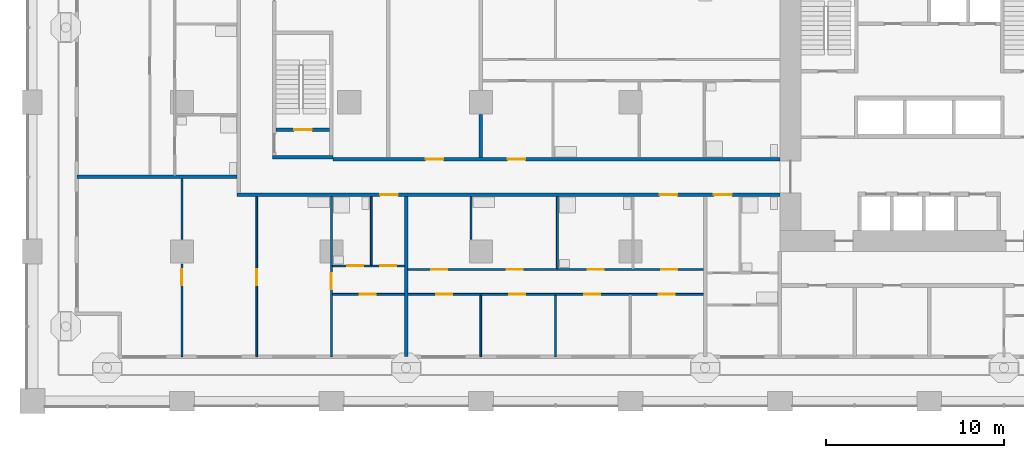
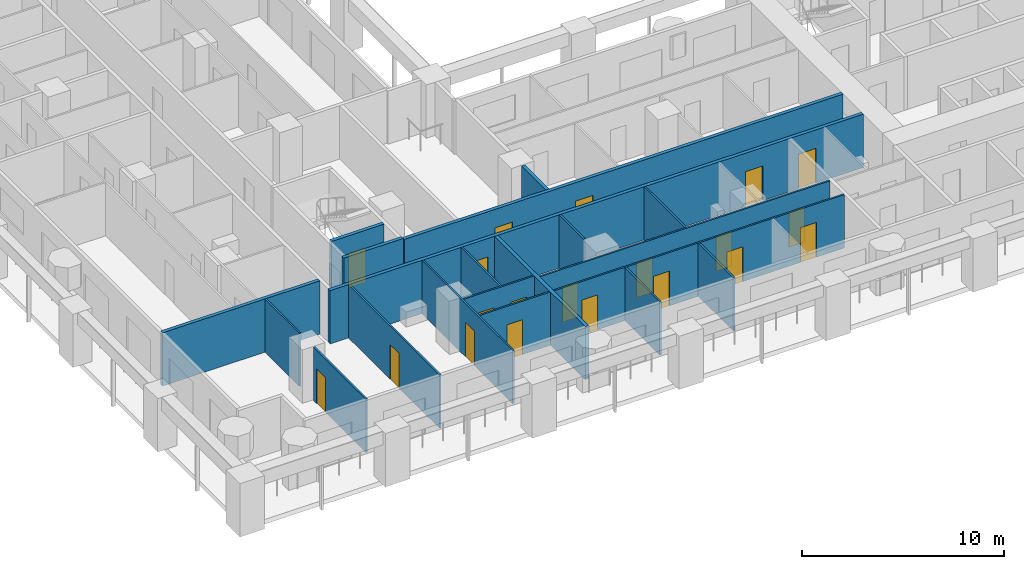
# One storey, part 2 of 19: 20 doors, 19 walls, 20 openings.
"""IFC4 building model written with IfcOpenShell, lengths in metres."""

from ifc_helpers import new_model, si_unit, direction, frame, frame_2d, origin, place, context, subcontext, project, spatial, rectangle, extrude, material, layer, layer_set, type_object, element, fill, save


model = new_model("IFC4")

# Units and contexts
model_context = context("Model", 3, precision=1e-05, world=origin(), true_north=direction((0.0, 1.0)))
body_context = subcontext(model_context, "Body", "Model", "MODEL_VIEW")
ifc_project = project(units=[si_unit("LENGTHUNIT", "METRE"), si_unit("AREAUNIT", "SQUARE_METRE"), si_unit("VOLUMEUNIT", "CUBIC_METRE"), si_unit("PLANEANGLEUNIT", "RADIAN"), si_unit("MASSUNIT", "GRAM", prefix="KILO")], contexts=[model_context])

# Site, building, storey
site_placement = place(None, origin())
site = spatial("IfcSite", under=ifc_project, at=site_placement, CompositionType="ELEMENT")
building_placement = place(site_placement, origin())
building = spatial("IfcBuilding", under=site, at=building_placement, Name="Vermilion Gate Residences", CompositionType="ELEMENT")
storey_placement = place(building_placement, frame((0.0, 0.0, 32.199951171875)))
storey = spatial("IfcBuildingStorey", under=building, at=storey_placement, Name="L06", CompositionType="ELEMENT", Elevation=32.199951171875)

# Wall, openings, doors
ifc_material_1 = material(Name="Plasterboard on steel studs", Category="steel")
ifc_layer_1 = layer(ifc_material_1, 0.10009765625)
ifc_layer_set_1 = layer_set([ifc_layer_1], Name="PARTITION 100")
wall_type_1 = type_object("IfcWallType", Name="PARTITION 100", PredefinedType="PARTITIONING", material=ifc_layer_set_1)
wall_1_placement = place(storey_placement, frame((16.85009765625, 6.0, 0.0), z_axis=(0.0, 0.0, 1.0), x_axis=(1.0, 0.0, 0.0)))
wall_1 = element("IfcWall", 1, at=wall_1_placement, inside=storey, type_object=wall_type_1, Name="Partition", PredefinedType="PARTITIONING", context=body_context, shape_type="SweptSolid", body=[
    extrude(rectangle(XDim=20.849853515625, YDim=0.10009765625, at=frame_2d((10.4248046875, 0.0))), origin(), (0.0, 0.0, 1.0), 3.219970703125),
])
opening_1_placement = place(wall_1_placement, frame((1.550048828125, 0.0, 0.0)))
opening_1 = element("IfcOpeningElement", 2, at=opening_1_placement, cuts=wall_1, Name="Opening DA04004", PredefinedType="OPENING", context=body_context, shape_type="SweptSolid", body=[
    extrude(rectangle(XDim=0.89990234375, YDim=2.10009765625, at=frame_2d((0.449951171875, 1.050048828125))), frame((0.0, 0.06005859375, 0.0), z_axis=(0.0, -1.0, 0.0), x_axis=(1.0, 0.0, 0.0)), (0.0, 0.0, 1.0), 0.1201171875),
])
opening_2_placement = place(wall_1_placement, frame((5.85009765625, 0.0, 0.0)))
opening_2 = element("IfcOpeningElement", 3, at=opening_2_placement, cuts=wall_1, Name="Opening DA04005", PredefinedType="OPENING", context=body_context, shape_type="SweptSolid", body=[
    extrude(rectangle(XDim=0.89990234375, YDim=2.10009765625, at=frame_2d((0.449951171875, 1.050048828125))), frame((0.0, 0.06005859375, 0.0), z_axis=(0.0, -1.0, 0.0), x_axis=(1.0, 0.0, 0.0)), (0.0, 0.0, 1.0), 0.1201171875),
])
opening_3_placement = place(wall_1_placement, frame((9.949951171875, 0.0, 0.0)))
opening_3 = element("IfcOpeningElement", 4, at=opening_3_placement, cuts=wall_1, Name="Opening DA04006", PredefinedType="OPENING", context=body_context, shape_type="SweptSolid", body=[
    extrude(rectangle(XDim=0.89990234375, YDim=2.10009765625, at=frame_2d((0.449951171875, 1.050048828125))), frame((0.0, 0.06005859375, 0.0), z_axis=(0.0, -1.0, 0.0), x_axis=(1.0, 0.0, 0.0)), (0.0, 0.0, 1.0), 0.1201171875),
])
opening_4_placement = place(wall_1_placement, frame((14.14990234375, 0.0, 0.0)))
opening_4 = element("IfcOpeningElement", 5, at=opening_4_placement, cuts=wall_1, Name="Opening DA04007", PredefinedType="OPENING", context=body_context, shape_type="SweptSolid", body=[
    extrude(rectangle(XDim=0.89990234375, YDim=2.10009765625, at=frame_2d((0.449951171875, 1.050048828125))), frame((0.0, 0.06005859375, 0.0), z_axis=(0.0, -1.0, 0.0), x_axis=(1.0, 0.0, 0.0)), (0.0, 0.0, 1.0), 0.1201171875),
])
opening_5_placement = place(wall_1_placement, frame((18.35009765625, 0.0, 0.0)))
opening_5 = element("IfcOpeningElement", 6, at=opening_5_placement, cuts=wall_1, Name="Opening DA04008", PredefinedType="OPENING", context=body_context, shape_type="SweptSolid", body=[
    extrude(rectangle(XDim=0.89990234375, YDim=2.10009765625, at=frame_2d((0.449951171875, 1.050048828125))), frame((0.0, 0.06005859375, 0.0), z_axis=(0.0, -1.0, 0.0), x_axis=(1.0, 0.0, 0.0)), (0.0, 0.0, 1.0), 0.1201171875),
])
ifc_material_2 = material(Name="Timber", Category="wood")
door_type_1 = type_object("IfcDoorType", Name="INTERIOR DOOR 900 X 2100", OperationType="SINGLE_SWING_LEFT", PredefinedType="DOOR", material=ifc_material_2)
door_1_placement = place(opening_1_placement, frame((0.89990234375, 0.0, 0.0), z_axis=(0.0, 0.0, 1.0), x_axis=(-1.0, 0.0, 0.0)))
door_1 = element("IfcDoor", 7, at=door_1_placement, inside=storey, type_object=door_type_1, Name="Interior door", OperationType="SINGLE_SWING_RIGHT", OverallHeight=2.10009765625, OverallWidth=0.89990234375, PredefinedType="DOOR", context=body_context, shape_type="SweptSolid", body=[
    extrude(rectangle(XDim=0.89990234375, YDim=2.10009765625, at=frame_2d((0.449951171875, 1.050048828125))), frame((0.0, 0.02490234375, 0.0), z_axis=(0.0, -1.0, 0.0), x_axis=(1.0, 0.0, 0.0)), (0.0, 0.0, 1.0), 0.050048828125),
])
fill(opening_1, door_1)
door_2_placement = place(opening_2_placement, frame((0.89990234375, 0.0, 0.0), z_axis=(0.0, 0.0, 1.0), x_axis=(-1.0, 0.0, 0.0)))
door_2 = element("IfcDoor", 8, at=door_2_placement, inside=storey, type_object=door_type_1, Name="Interior door", OperationType="SINGLE_SWING_LEFT", OverallHeight=2.10009765625, OverallWidth=0.89990234375, PredefinedType="DOOR", context=body_context, shape_type="SweptSolid", body=[
    extrude(rectangle(XDim=0.89990234375, YDim=2.10009765625, at=frame_2d((0.449951171875, 1.050048828125))), frame((0.0, 0.02490234375, 0.0), z_axis=(0.0, -1.0, 0.0), x_axis=(1.0, 0.0, 0.0)), (0.0, 0.0, 1.0), 0.050048828125),
])
fill(opening_2, door_2)
door_3_placement = place(opening_3_placement, frame((0.89990234375, 0.0, 0.0), z_axis=(0.0, 0.0, 1.0), x_axis=(-1.0, 0.0, 0.0)))
door_3 = element("IfcDoor", 9, at=door_3_placement, inside=storey, type_object=door_type_1, Name="Interior door", OperationType="SINGLE_SWING_RIGHT", OverallHeight=2.10009765625, OverallWidth=0.89990234375, PredefinedType="DOOR", context=body_context, shape_type="SweptSolid", body=[
    extrude(rectangle(XDim=0.89990234375, YDim=2.10009765625, at=frame_2d((0.449951171875, 1.050048828125))), frame((0.0, 0.02490234375, 0.0), z_axis=(0.0, -1.0, 0.0), x_axis=(1.0, 0.0, 0.0)), (0.0, 0.0, 1.0), 0.050048828125),
])
fill(opening_3, door_3)
door_4_placement = place(opening_4_placement, frame((0.89990234375, 0.0, 0.0), z_axis=(0.0, 0.0, 1.0), x_axis=(-1.0, 0.0, 0.0)))
door_4 = element("IfcDoor", 10, at=door_4_placement, inside=storey, type_object=door_type_1, Name="Interior door", OperationType="SINGLE_SWING_RIGHT", OverallHeight=2.10009765625, OverallWidth=0.89990234375, PredefinedType="DOOR", context=body_context, shape_type="SweptSolid", body=[
    extrude(rectangle(XDim=0.89990234375, YDim=2.10009765625, at=frame_2d((0.449951171875, 1.050048828125))), frame((0.0, 0.02490234375, 0.0), z_axis=(0.0, -1.0, 0.0), x_axis=(1.0, 0.0, 0.0)), (0.0, 0.0, 1.0), 0.050048828125),
])
fill(opening_4, door_4)
door_5_placement = place(opening_5_placement, frame((0.89990234375, 0.0, 0.0), z_axis=(0.0, 0.0, 1.0), x_axis=(-1.0, 0.0, 0.0)))
door_5 = element("IfcDoor", 11, at=door_5_placement, inside=storey, type_object=door_type_1, Name="Interior door", OperationType="SINGLE_SWING_RIGHT", OverallHeight=2.10009765625, OverallWidth=0.89990234375, PredefinedType="DOOR", context=body_context, shape_type="SweptSolid", body=[
    extrude(rectangle(XDim=0.89990234375, YDim=2.10009765625, at=frame_2d((0.449951171875, 1.050048828125))), frame((0.0, 0.02490234375, 0.0), z_axis=(0.0, -1.0, 0.0), x_axis=(1.0, 0.0, 0.0)), (0.0, 0.0, 1.0), 0.050048828125),
])
fill(opening_5, door_5)

wall_2_placement = place(storey_placement, frame((21.10009765625, 7.39990234375, 0.0), z_axis=(0.0, 0.0, 1.0), x_axis=(1.0, 0.0, 0.0)))
wall_2 = element("IfcWall", 12, at=wall_2_placement, inside=storey, type_object=wall_type_1, Name="Partition", PredefinedType="PARTITIONING", context=body_context, shape_type="SweptSolid", body=[
    extrude(rectangle(XDim=16.599853515625, YDim=0.10009765625, at=frame_2d((8.2998046875, 0.0))), origin(), (0.0, 0.0, 1.0), 3.219970703125),
])
opening_6_placement = place(wall_2_placement, frame((14.25, 0.0, 0.0)))
opening_6 = element("IfcOpeningElement", 13, at=opening_6_placement, cuts=wall_2, Name="Opening DA04015", PredefinedType="OPENING", context=body_context, shape_type="SweptSolid", body=[
    extrude(rectangle(XDim=0.89990234375, YDim=2.10009765625, at=frame_2d((0.449951171875, 1.050048828125))), frame((0.0, 0.06005859375, 0.0), z_axis=(0.0, -1.0, 0.0), x_axis=(1.0, 0.0, 0.0)), (0.0, 0.0, 1.0), 0.1201171875),
])
opening_7_placement = place(wall_2_placement, frame((1.300048828125, 0.0, 0.0)))
opening_7 = element("IfcOpeningElement", 14, at=opening_7_placement, cuts=wall_2, Name="Opening DA04016", PredefinedType="OPENING", context=body_context, shape_type="SweptSolid", body=[
    extrude(rectangle(XDim=0.89990234375, YDim=2.10009765625, at=frame_2d((0.449951171875, 1.050048828125))), frame((0.0, 0.06005859375, 0.0), z_axis=(0.0, -1.0, 0.0), x_axis=(1.0, 0.0, 0.0)), (0.0, 0.0, 1.0), 0.1201171875),
])
opening_8_placement = place(wall_2_placement, frame((5.550048828125, 0.0, 0.0)))
opening_8 = element("IfcOpeningElement", 15, at=opening_8_placement, cuts=wall_2, Name="Opening DA04017", PredefinedType="OPENING", context=body_context, shape_type="SweptSolid", body=[
    extrude(rectangle(XDim=0.89990234375, YDim=2.10009765625, at=frame_2d((0.449951171875, 1.050048828125))), frame((0.0, 0.06005859375, 0.0), z_axis=(0.0, -1.0, 0.0), x_axis=(1.0, 0.0, 0.0)), (0.0, 0.0, 1.0), 0.1201171875),
])
opening_9_placement = place(wall_2_placement, frame((10.10009765625, 0.0, 0.0)))
opening_9 = element("IfcOpeningElement", 16, at=opening_9_placement, cuts=wall_2, Name="Opening DA04018", PredefinedType="OPENING", context=body_context, shape_type="SweptSolid", body=[
    extrude(rectangle(XDim=0.89990234375, YDim=2.10009765625, at=frame_2d((0.449951171875, 1.050048828125))), frame((0.0, 0.06005859375, 0.0), z_axis=(0.0, -1.0, 0.0), x_axis=(1.0, 0.0, 0.0)), (0.0, 0.0, 1.0), 0.1201171875),
])
door_6_placement = place(opening_6_placement, origin())
door_6 = element("IfcDoor", 17, at=door_6_placement, inside=storey, type_object=door_type_1, Name="Interior door", OperationType="SINGLE_SWING_RIGHT", OverallHeight=2.10009765625, OverallWidth=0.89990234375, PredefinedType="DOOR", context=body_context, shape_type="SweptSolid", body=[
    extrude(rectangle(XDim=0.89990234375, YDim=2.10009765625, at=frame_2d((0.449951171875, 1.050048828125))), frame((0.0, 0.02490234375, 0.0), z_axis=(0.0, -1.0, 0.0), x_axis=(1.0, 0.0, 0.0)), (0.0, 0.0, 1.0), 0.050048828125),
])
fill(opening_6, door_6)
door_7_placement = place(opening_7_placement, origin())
door_7 = element("IfcDoor", 18, at=door_7_placement, inside=storey, type_object=door_type_1, Name="Interior door", OperationType="SINGLE_SWING_LEFT", OverallHeight=2.10009765625, OverallWidth=0.89990234375, PredefinedType="DOOR", context=body_context, shape_type="SweptSolid", body=[
    extrude(rectangle(XDim=0.89990234375, YDim=2.10009765625, at=frame_2d((0.449951171875, 1.050048828125))), frame((0.0, 0.02490234375, 0.0), z_axis=(0.0, -1.0, 0.0), x_axis=(1.0, 0.0, 0.0)), (0.0, 0.0, 1.0), 0.050048828125),
])
fill(opening_7, door_7)
door_8_placement = place(opening_8_placement, origin())
door_8 = element("IfcDoor", 19, at=door_8_placement, inside=storey, type_object=door_type_1, Name="Interior door", OperationType="SINGLE_SWING_RIGHT", OverallHeight=2.10009765625, OverallWidth=0.89990234375, PredefinedType="DOOR", context=body_context, shape_type="SweptSolid", body=[
    extrude(rectangle(XDim=0.89990234375, YDim=2.10009765625, at=frame_2d((0.449951171875, 1.050048828125))), frame((0.0, 0.02490234375, 0.0), z_axis=(0.0, -1.0, 0.0), x_axis=(1.0, 0.0, 0.0)), (0.0, 0.0, 1.0), 0.050048828125),
])
fill(opening_8, door_8)
door_9_placement = place(opening_9_placement, origin())
door_9 = element("IfcDoor", 20, at=door_9_placement, inside=storey, type_object=door_type_1, Name="Interior door", OperationType="SINGLE_SWING_LEFT", OverallHeight=2.10009765625, OverallWidth=0.89990234375, PredefinedType="DOOR", context=body_context, shape_type="SweptSolid", body=[
    extrude(rectangle(XDim=0.89990234375, YDim=2.10009765625, at=frame_2d((0.449951171875, 1.050048828125))), frame((0.0, 0.02490234375, 0.0), z_axis=(0.0, -1.0, 0.0), x_axis=(1.0, 0.0, 0.0)), (0.0, 0.0, 1.0), 0.050048828125),
])
fill(opening_9, door_9)

wall_3_placement = place(storey_placement, frame((16.85009765625, 7.60009765625, 0.0), z_axis=(0.0, 0.0, 1.0), x_axis=(1.0, 0.0, 0.0)))
wall_3 = element("IfcWall", 21, at=wall_3_placement, inside=storey, type_object=wall_type_1, Name="Partition", PredefinedType="PARTITIONING", context=body_context, shape_type="SweptSolid", body=[
    extrude(rectangle(XDim=4.0498046875, YDim=0.10009765625, at=frame_2d((2.02490234375, 0.0))), origin(), (0.0, 0.0, 1.0), 3.219970703125),
])
opening_10_placement = place(wall_3_placement, frame((2.68994140625, 0.0, 0.0)))
opening_10 = element("IfcOpeningElement", 22, at=opening_10_placement, cuts=wall_3, Name="Opening DA04019", PredefinedType="OPENING", context=body_context, shape_type="SweptSolid", body=[
    extrude(rectangle(XDim=0.89990234375, YDim=2.10009765625, at=frame_2d((0.449951171875, 1.050048828125))), frame((0.0, 0.06005859375, 0.0), z_axis=(0.0, -1.0, 0.0), x_axis=(1.0, 0.0, 0.0)), (0.0, 0.0, 1.0), 0.1201171875),
])
opening_11_placement = place(wall_3_placement, frame((0.85009765625, 0.0, 0.0)))
opening_11 = element("IfcOpeningElement", 23, at=opening_11_placement, cuts=wall_3, Name="Opening DA04020", PredefinedType="OPENING", context=body_context, shape_type="SweptSolid", body=[
    extrude(rectangle(XDim=0.89990234375, YDim=2.10009765625, at=frame_2d((0.449951171875, 1.050048828125))), frame((0.0, 0.06005859375, 0.0), z_axis=(0.0, -1.0, 0.0), x_axis=(1.0, 0.0, 0.0)), (0.0, 0.0, 1.0), 0.1201171875),
])
door_10_placement = place(opening_10_placement, frame((0.89990234375, 0.0, 0.0), z_axis=(0.0, 0.0, 1.0), x_axis=(-1.0, 0.0, 0.0)))
door_10 = element("IfcDoor", 24, at=door_10_placement, inside=storey, type_object=door_type_1, Name="Interior door", OperationType="SINGLE_SWING_LEFT", OverallHeight=2.10009765625, OverallWidth=0.89990234375, PredefinedType="DOOR", context=body_context, shape_type="SweptSolid", body=[
    extrude(rectangle(XDim=0.89990234375, YDim=2.10009765625, at=frame_2d((0.449951171875, 1.050048828125))), frame((0.0, 0.02490234375, 0.0), z_axis=(0.0, -1.0, 0.0), x_axis=(1.0, 0.0, 0.0)), (0.0, 0.0, 1.0), 0.050048828125),
])
fill(opening_10, door_10)
door_11_placement = place(opening_11_placement, origin())
door_11 = element("IfcDoor", 25, at=door_11_placement, inside=storey, type_object=door_type_1, Name="Interior door", OperationType="SINGLE_SWING_LEFT", OverallHeight=2.10009765625, OverallWidth=0.89990234375, PredefinedType="DOOR", context=body_context, shape_type="SweptSolid", body=[
    extrude(rectangle(XDim=0.89990234375, YDim=2.10009765625, at=frame_2d((0.449951171875, 1.050048828125))), frame((0.0, 0.02490234375, 0.0), z_axis=(0.0, -1.0, 0.0), x_axis=(1.0, 0.0, 0.0)), (0.0, 0.0, 1.0), 0.050048828125),
])
fill(opening_11, door_11)

# Wall, opening, door
wall_4_placement = place(storey_placement, frame((8.39990234375, 2.5, 0.0), z_axis=(0.0, 0.0, 1.0), x_axis=(0.0, 1.0, 0.0)))
wall_4 = element("IfcWall", 26, at=wall_4_placement, inside=storey, type_object=wall_type_1, Name="Partition", PredefinedType="PARTITIONING", context=body_context, shape_type="SweptSolid", body=[
    extrude(rectangle(XDim=5.199951171875, YDim=0.10009765625, at=frame_2d((2.60009765625, 0.0))), origin(), (0.0, 0.0, 1.0), 3.219970703125),
])
opening_12_placement = place(wall_4_placement, frame((4.0, 0.0, 0.0)))
opening_12 = element("IfcOpeningElement", 27, at=opening_12_placement, cuts=wall_4, Name="Opening DA04050", PredefinedType="OPENING", context=body_context, shape_type="SweptSolid", body=[
    extrude(rectangle(XDim=0.89990234375, YDim=2.10009765625, at=frame_2d((0.449951171875, 1.050048828125))), frame((0.0, 0.06005859375, 0.0), z_axis=(0.0, -1.0, 0.0), x_axis=(1.0, 0.0, 0.0)), (0.0, 0.0, 1.0), 0.1201171875),
])
door_12_placement = place(opening_12_placement, frame((0.89990234375, 0.0, 0.0), z_axis=(0.0, 0.0, 1.0), x_axis=(-1.0, 0.0, 0.0)))
door_12 = element("IfcDoor", 28, at=door_12_placement, inside=storey, type_object=door_type_1, Name="Interior door", OperationType="SINGLE_SWING_LEFT", OverallHeight=2.10009765625, OverallWidth=0.89990234375, PredefinedType="DOOR", context=body_context, shape_type="SweptSolid", body=[
    extrude(rectangle(XDim=0.89990234375, YDim=2.10009765625, at=frame_2d((0.449951171875, 1.050048828125))), frame((0.0, 0.02490234375, 0.0), z_axis=(0.0, -1.0, 0.0), x_axis=(1.0, 0.0, 0.0)), (0.0, 0.0, 1.0), 0.050048828125),
])
fill(opening_12, door_12)

# Wall
wall_5_placement = place(storey_placement, frame((8.39990234375, 9.10009765625, 0.0), z_axis=(0.0, 0.0, 1.0), x_axis=(0.0, 1.0, 0.0)))
element("IfcWall", 29, at=wall_5_placement, inside=storey, type_object=wall_type_1, Name="Partition", PredefinedType="PARTITIONING", context=body_context, shape_type="SweptSolid", body=[
    extrude(rectangle(XDim=3.39990234375, YDim=0.10009765625, at=frame_2d((1.699951171875, 0.0))), origin(), (0.0, 0.0, 1.0), 3.219970703125),
])

# Wall, opening, door
wall_6_placement = place(storey_placement, frame((12.60009765625, 2.5, 0.0), z_axis=(0.0, 0.0, 1.0), x_axis=(0.0, 1.0, 0.0)))
wall_6 = element("IfcWall", 30, at=wall_6_placement, inside=storey, type_object=wall_type_1, Name="Partition", PredefinedType="PARTITIONING", context=body_context, shape_type="SweptSolid", body=[
    extrude(rectangle(XDim=9.0, YDim=0.10009765625, at=frame_2d((4.5, 0.0))), origin(), (0.0, 0.0, 1.0), 3.219970703125),
])
opening_13_placement = place(wall_6_placement, frame((4.0, 0.0, 0.0)))
opening_13 = element("IfcOpeningElement", 31, at=opening_13_placement, cuts=wall_6, Name="Opening DA04055", PredefinedType="OPENING", context=body_context, shape_type="SweptSolid", body=[
    extrude(rectangle(XDim=0.89990234375, YDim=2.10009765625, at=frame_2d((0.449951171875, 1.050048828125))), frame((0.0, 0.06005859375, 0.0), z_axis=(0.0, -1.0, 0.0), x_axis=(1.0, 0.0, 0.0)), (0.0, 0.0, 1.0), 0.1201171875),
])
door_13_placement = place(opening_13_placement, origin())
door_13 = element("IfcDoor", 32, at=door_13_placement, inside=storey, type_object=door_type_1, Name="Interior door", OperationType="SINGLE_SWING_LEFT", OverallHeight=2.10009765625, OverallWidth=0.89990234375, PredefinedType="DOOR", context=body_context, shape_type="SweptSolid", body=[
    extrude(rectangle(XDim=0.89990234375, YDim=2.10009765625, at=frame_2d((0.449951171875, 1.050048828125))), frame((0.0, 0.02490234375, 0.0), z_axis=(0.0, -1.0, 0.0), x_axis=(1.0, 0.0, 0.0)), (0.0, 0.0, 1.0), 0.050048828125),
])
fill(opening_13, door_13)

wall_7_placement = place(storey_placement, frame((16.800048828125, 2.5, 0.0), z_axis=(0.0, 0.0, 1.0), x_axis=(0.0, 1.0, 0.0)))
wall_7 = element("IfcWall", 33, at=wall_7_placement, inside=storey, type_object=wall_type_1, Name="Partition", PredefinedType="PARTITIONING", context=body_context, shape_type="SweptSolid", body=[
    extrude(rectangle(XDim=9.0, YDim=0.10009765625, at=frame_2d((4.5, 0.0))), origin(), (0.0, 0.0, 1.0), 3.219970703125),
])
opening_14_placement = place(wall_7_placement, frame((3.800048828125, 0.0, 0.0)))
opening_14 = element("IfcOpeningElement", 34, at=opening_14_placement, cuts=wall_7, Name="Opening DA04058", PredefinedType="OPENING", context=body_context, shape_type="SweptSolid", body=[
    extrude(rectangle(XDim=0.89990234375, YDim=2.10009765625, at=frame_2d((0.449951171875, 1.050048828125))), frame((0.0, 0.06005859375, 0.0), z_axis=(0.0, -1.0, 0.0), x_axis=(1.0, 0.0, 0.0)), (0.0, 0.0, 1.0), 0.1201171875),
])
door_14_placement = place(opening_14_placement, origin())
door_14 = element("IfcDoor", 35, at=door_14_placement, inside=storey, type_object=door_type_1, Name="Interior door", OperationType="SINGLE_SWING_RIGHT", OverallHeight=2.10009765625, OverallWidth=0.89990234375, PredefinedType="DOOR", context=body_context, shape_type="SweptSolid", body=[
    extrude(rectangle(XDim=0.89990234375, YDim=2.10009765625, at=frame_2d((0.449951171875, 1.050048828125))), frame((0.0, 0.02490234375, 0.0), z_axis=(0.0, -1.0, 0.0), x_axis=(1.0, 0.0, 0.0)), (0.0, 0.0, 1.0), 0.050048828125),
])
fill(opening_14, door_14)

# Walls
wall_8_placement = place(storey_placement, frame((19.0400390625, 7.64990234375, 0.0), z_axis=(0.0, 0.0, 1.0), x_axis=(0.0, 1.0, 0.0)))
element("IfcWall", 36, at=wall_8_placement, inside=storey, type_object=wall_type_1, Name="Partition", PredefinedType="PARTITIONING", context=body_context, shape_type="SweptSolid", body=[
    extrude(rectangle(XDim=3.85009765625, YDim=0.10009765625, at=frame_2d((1.925048828125, 0.0))), origin(), (0.0, 0.0, 1.0), 3.219970703125),
])
wall_9_placement = place(storey_placement, frame((24.64990234375, 9.10009765625, 0.0), z_axis=(0.0, 0.0, 1.0), x_axis=(0.0, 1.0, 0.0)))
element("IfcWall", 37, at=wall_9_placement, inside=storey, type_object=wall_type_1, Name="Partition", PredefinedType="PARTITIONING", context=body_context, shape_type="SweptSolid", body=[
    extrude(rectangle(XDim=2.39990234375, YDim=0.10009765625, at=frame_2d((1.199951171875, 0.0))), origin(), (0.0, 0.0, 1.0), 3.219970703125),
])
for number, where, z_axis, x_axis, name in (
    (38, (25.199951171875, 2.5, 0.0), (0.0, 0.0, 1.0), (0.0, 1.0, 0.0), "Partition"),
    (39, (29.39990234375, 2.5, 0.0), (0.0, 0.0, 1.0), (0.0, 1.0, 0.0), "Partition"),
):
    element("IfcWall", number, at=place(storey_placement, frame(where, z_axis=z_axis, x_axis=x_axis)), inside=storey, type_object=wall_type_1, Name=name, PredefinedType="PARTITIONING", context=body_context, shape_type="SweptSolid", body=[
        extrude(rectangle(XDim=3.449951171875, YDim=0.10009765625, at=frame_2d((1.72509765625, 0.0))), origin(), (0.0, 0.0, 1.0), 3.219970703125),
    ])
wall_10_placement = place(storey_placement, frame((29.5, 7.449951171875, 0.0), z_axis=(0.0, 0.0, 1.0), x_axis=(0.0, 1.0, 0.0)))
element("IfcWall", 40, at=wall_10_placement, inside=storey, type_object=wall_type_1, Name="Partition", PredefinedType="PARTITIONING", context=body_context, shape_type="SweptSolid", body=[
    extrude(rectangle(XDim=4.050048828125, YDim=0.10009765625, at=frame_2d((2.02490234375, 0.0))), origin(), (0.0, 0.0, 1.0), 3.219970703125),
])

# Wall, openings, doors
ifc_material_3 = material(Name="Fire-rated plasterboard on steel studs", Category="steel")
ifc_layer_2 = layer(ifc_material_3, 0.199951171875)
ifc_layer_set_2 = layer_set([ifc_layer_2], Name="PARTY WALL 200 EI 120")
wall_type_2 = type_object("IfcWallType", Name="PARTY WALL 200 EI 120", PredefinedType="PARTITIONING", material=ifc_layer_set_2)
wall_11_placement = place(storey_placement, frame((11.5, 11.60009765625, 0.0), z_axis=(0.0, 0.0, 1.0), x_axis=(1.0, 0.0, 0.0)))
wall_11 = element("IfcWall", 41, at=wall_11_placement, inside=storey, type_object=wall_type_2, Name="Party and corridor wall", PredefinedType="PARTITIONING", context=body_context, shape_type="SweptSolid", body=[
    extrude(rectangle(XDim=30.5, YDim=0.199951171875, at=frame_2d((15.25, 0.0))), origin(), (0.0, 0.0, 1.0), 3.219970703125),
])
opening_15_placement = place(wall_11_placement, frame((8.0400390625, 0.0, 0.0)))
opening_15 = element("IfcOpeningElement", 42, at=opening_15_placement, cuts=wall_11, Name="Opening DA04021", PredefinedType="OPENING", context=body_context, shape_type="SweptSolid", body=[
    extrude(rectangle(XDim=1.0, YDim=2.10009765625, at=frame_2d((0.5, 1.050048828125))), frame((0.0, 0.10986328125, 0.0), z_axis=(0.0, -1.0, 0.0), x_axis=(1.0, 0.0, 0.0)), (0.0, 0.0, 1.0), 0.219970703125),
])
opening_16_placement = place(wall_11_placement, frame((23.75, 0.0, 0.0)))
opening_16 = element("IfcOpeningElement", 43, at=opening_16_placement, cuts=wall_11, Name="Opening DA04022", PredefinedType="OPENING", context=body_context, shape_type="SweptSolid", body=[
    extrude(rectangle(XDim=1.0, YDim=2.10009765625, at=frame_2d((0.5, 1.050048828125))), frame((0.0, 0.10986328125, 0.0), z_axis=(0.0, -1.0, 0.0), x_axis=(1.0, 0.0, 0.0)), (0.0, 0.0, 1.0), 0.219970703125),
])
opening_17_placement = place(wall_11_placement, frame((26.800048828125, 0.0, 0.0)))
opening_17 = element("IfcOpeningElement", 44, at=opening_17_placement, cuts=wall_11, Name="Opening DA04023", PredefinedType="OPENING", context=body_context, shape_type="SweptSolid", body=[
    extrude(rectangle(XDim=1.0, YDim=2.10009765625, at=frame_2d((0.5, 1.050048828125))), frame((0.0, 0.10986328125, 0.0), z_axis=(0.0, -1.0, 0.0), x_axis=(1.0, 0.0, 0.0)), (0.0, 0.0, 1.0), 0.219970703125),
])
ifc_material_4 = material(Name="Steel", Category="steel")
door_type_2 = type_object("IfcDoorType", Name="ENTRANCE DOOR 1000 X 2100 FD30", OperationType="SINGLE_SWING_LEFT", PredefinedType="DOOR", material=ifc_material_4)
door_15_placement = place(opening_15_placement, frame((1.0, 0.0, 0.0), z_axis=(0.0, 0.0, 1.0), x_axis=(-1.0, 0.0, 0.0)))
door_15 = element("IfcDoor", 45, at=door_15_placement, inside=storey, type_object=door_type_2, Name="Entrance door", OperationType="SINGLE_SWING_LEFT", OverallHeight=2.10009765625, OverallWidth=1.0, PredefinedType="DOOR", context=body_context, shape_type="SweptSolid", body=[
    extrude(rectangle(XDim=1.0, YDim=2.10009765625, at=frame_2d((0.5, 1.050048828125))), frame((0.0, 0.02490234375, 0.0), z_axis=(0.0, -1.0, 0.0), x_axis=(1.0, 0.0, 0.0)), (0.0, 0.0, 1.0), 0.050048828125),
])
fill(opening_15, door_15)
door_16_placement = place(opening_16_placement, frame((1.0, 0.0, 0.0), z_axis=(0.0, 0.0, 1.0), x_axis=(-1.0, 0.0, 0.0)))
door_16 = element("IfcDoor", 46, at=door_16_placement, inside=storey, type_object=door_type_2, Name="Entrance door", OperationType="SINGLE_SWING_LEFT", OverallHeight=2.10009765625, OverallWidth=1.0, PredefinedType="DOOR", context=body_context, shape_type="SweptSolid", body=[
    extrude(rectangle(XDim=1.0, YDim=2.10009765625, at=frame_2d((0.5, 1.050048828125))), frame((0.0, 0.02490234375, 0.0), z_axis=(0.0, -1.0, 0.0), x_axis=(1.0, 0.0, 0.0)), (0.0, 0.0, 1.0), 0.050048828125),
])
fill(opening_16, door_16)
door_17_placement = place(opening_17_placement, frame((1.0, 0.0, 0.0), z_axis=(0.0, 0.0, 1.0), x_axis=(-1.0, 0.0, 0.0)))
door_17 = element("IfcDoor", 47, at=door_17_placement, inside=storey, type_object=door_type_2, Name="Entrance door", OperationType="SINGLE_SWING_RIGHT", OverallHeight=2.10009765625, OverallWidth=1.0, PredefinedType="DOOR", context=body_context, shape_type="SweptSolid", body=[
    extrude(rectangle(XDim=1.0, YDim=2.10009765625, at=frame_2d((0.5, 1.050048828125))), frame((0.0, 0.02490234375, 0.0), z_axis=(0.0, -1.0, 0.0), x_axis=(1.0, 0.0, 0.0)), (0.0, 0.0, 1.0), 0.050048828125),
])
fill(opening_17, door_17)

# Wall
wall_12_placement = place(storey_placement, frame((2.5, 12.60009765625, 0.0), z_axis=(0.0, 0.0, 1.0), x_axis=(1.0, 0.0, 0.0)))
element("IfcWall", 48, at=wall_12_placement, inside=storey, type_object=wall_type_2, Name="Party and corridor wall", PredefinedType="PARTITIONING", context=body_context, shape_type="SweptSolid", body=[
    extrude(rectangle(XDim=9.0, YDim=0.199951171875, at=frame_2d((4.5, 0.0))), origin(), (0.0, 0.0, 1.0), 3.219970703125),
])

# Wall, openings, doors
wall_13_placement = place(storey_placement, frame((16.89990234375, 13.60009765625, 0.0), z_axis=(0.0, 0.0, 1.0), x_axis=(1.0, 0.0, 0.0)))
wall_13 = element("IfcWall", 49, at=wall_13_placement, inside=storey, type_object=wall_type_2, Name="Party and corridor wall", PredefinedType="PARTITIONING", context=body_context, shape_type="SweptSolid", body=[
    extrude(rectangle(XDim=25.10009765625, YDim=0.199951171875, at=frame_2d((12.550048828125, 0.0))), origin(), (0.0, 0.0, 1.0), 3.219970703125),
])
opening_18_placement = place(wall_13_placement, frame((9.800048828125, 0.0, 0.0)))
opening_18 = element("IfcOpeningElement", 50, at=opening_18_placement, cuts=wall_13, Name="Opening DA04024", PredefinedType="OPENING", context=body_context, shape_type="SweptSolid", body=[
    extrude(rectangle(XDim=1.0, YDim=2.10009765625, at=frame_2d((0.5, 1.050048828125))), frame((0.0, 0.10986328125, 0.0), z_axis=(0.0, -1.0, 0.0), x_axis=(1.0, 0.0, 0.0)), (0.0, 0.0, 1.0), 0.219970703125),
])
opening_19_placement = place(wall_13_placement, frame((5.199951171875, 0.0, 0.0)))
opening_19 = element("IfcOpeningElement", 51, at=opening_19_placement, cuts=wall_13, Name="Opening DA04025", PredefinedType="OPENING", context=body_context, shape_type="SweptSolid", body=[
    extrude(rectangle(XDim=1.0, YDim=2.10009765625, at=frame_2d((0.5, 1.050048828125))), frame((0.0, 0.10986328125, 0.0), z_axis=(0.0, -1.0, 0.0), x_axis=(1.0, 0.0, 0.0)), (0.0, 0.0, 1.0), 0.219970703125),
])
door_18_placement = place(opening_18_placement, origin())
door_18 = element("IfcDoor", 52, at=door_18_placement, inside=storey, type_object=door_type_2, Name="Entrance door", OperationType="SINGLE_SWING_LEFT", OverallHeight=2.10009765625, OverallWidth=1.0, PredefinedType="DOOR", context=body_context, shape_type="SweptSolid", body=[
    extrude(rectangle(XDim=1.0, YDim=2.10009765625, at=frame_2d((0.5, 1.050048828125))), frame((0.0, 0.02490234375, 0.0), z_axis=(0.0, -1.0, 0.0), x_axis=(1.0, 0.0, 0.0)), (0.0, 0.0, 1.0), 0.050048828125),
])
fill(opening_18, door_18)
door_19_placement = place(opening_19_placement, origin())
door_19 = element("IfcDoor", 53, at=door_19_placement, inside=storey, type_object=door_type_2, Name="Entrance door", OperationType="SINGLE_SWING_LEFT", OverallHeight=2.10009765625, OverallWidth=1.0, PredefinedType="DOOR", context=body_context, shape_type="SweptSolid", body=[
    extrude(rectangle(XDim=1.0, YDim=2.10009765625, at=frame_2d((0.5, 1.050048828125))), frame((0.0, 0.02490234375, 0.0), z_axis=(0.0, -1.0, 0.0), x_axis=(1.0, 0.0, 0.0)), (0.0, 0.0, 1.0), 0.050048828125),
])
fill(opening_19, door_19)

# Walls
wall_14_placement = place(storey_placement, frame((21.0, 2.5, 0.0), z_axis=(0.0, 0.0, 1.0), x_axis=(0.0, 1.0, 0.0)))
element("IfcWall", 54, at=wall_14_placement, inside=storey, type_object=wall_type_2, Name="Party and corridor wall", PredefinedType="PARTITIONING", context=body_context, shape_type="SweptSolid", body=[
    extrude(rectangle(XDim=9.0, YDim=0.199951171875, at=frame_2d((4.5, 0.0))), origin(), (0.0, 0.0, 1.0), 3.219970703125),
])
wall_15_placement = place(storey_placement, frame((25.199951171875, 13.699951171875, 0.0), z_axis=(0.0, 0.0, 1.0), x_axis=(0.0, 1.0, 0.0)))
element("IfcWall", 55, at=wall_15_placement, inside=storey, type_object=wall_type_2, Name="Party and corridor wall", PredefinedType="PARTITIONING", context=body_context, shape_type="SweptSolid", body=[
    extrude(rectangle(XDim=2.400146484375, YDim=0.199951171875, at=frame_2d((1.2001953125, 0.0))), origin(), (0.0, 0.0, 1.0), 3.219970703125),
])
ifc_material_5 = material(Name="Concrete C60", Category="concrete")
ifc_layer_3 = layer(ifc_material_5, 0.199951171875)
ifc_layer_set_3 = layer_set([ifc_layer_3], Name="RC CORE INTERNAL WALL 200 C60")
wall_type_3 = type_object("IfcWallType", Name="RC CORE INTERNAL WALL 200 C60", PredefinedType="SHEAR", material=ifc_layer_set_3)
wall_16_placement = place(storey_placement, frame((13.5, 13.699951171875, 0.0), z_axis=(0.0, 0.0, 1.0), x_axis=(1.0, 0.0, 0.0)))
element("IfcWall", 56, at=wall_16_placement, inside=storey, type_object=wall_type_3, Name="Core internal wall C06-S", PredefinedType="SHEAR", context=body_context, shape_type="SweptSolid", body=[
    extrude(rectangle(XDim=3.39990234375, YDim=0.199951171875, at=frame_2d((1.699951171875, 0.0))), origin(), (0.0, 0.0, 1.0), 3.219970703125),
])

# Wall, opening, door
wall_17_placement = place(storey_placement, frame((13.699951171875, 15.25, 0.0), z_axis=(0.0, 0.0, 1.0), x_axis=(1.0, 0.0, 0.0)))
wall_17 = element("IfcWall", 57, at=wall_17_placement, inside=storey, type_object=wall_type_3, Name="Core internal wall C06-P", PredefinedType="SHEAR", context=body_context, shape_type="SweptSolid", body=[
    extrude(rectangle(XDim=3.0, YDim=0.199951171875, at=frame_2d((1.5, 0.0))), origin(), (0.0, 0.0, 1.0), 3.219970703125),
])
opening_20_placement = place(wall_17_placement, frame((1.0, 0.0, 0.0)))
opening_20 = element("IfcOpeningElement", 58, at=opening_20_placement, cuts=wall_17, Name="Opening DK06202", PredefinedType="OPENING", context=body_context, shape_type="SweptSolid", body=[
    extrude(rectangle(XDim=1.0, YDim=2.10009765625, at=frame_2d((0.5, 1.050048828125))), frame((0.0, 0.10986328125, 0.0), z_axis=(0.0, -1.0, 0.0), x_axis=(1.0, 0.0, 0.0)), (0.0, 0.0, 1.0), 0.219970703125),
])
ifc_material_6 = material(Name="Steel", Category="steel")
door_type_3 = type_object("IfcDoorType", Name="FIRE DOOR FD60 1000 X 2100", OperationType="SINGLE_SWING_LEFT", PredefinedType="DOOR", material=ifc_material_6)
door_20_placement = place(opening_20_placement, origin())
door_20 = element("IfcDoor", 59, at=door_20_placement, inside=storey, type_object=door_type_3, Name="Stair door C06", OperationType="SINGLE_SWING_LEFT", OverallHeight=2.10009765625, OverallWidth=1.0, PredefinedType="DOOR", context=body_context, shape_type="SweptSolid", body=[
    extrude(rectangle(XDim=1.0, YDim=2.10009765625, at=frame_2d((0.5, 1.050048828125))), frame((0.0, 0.02490234375, 0.0), z_axis=(0.0, -1.0, 0.0), x_axis=(1.0, 0.0, 0.0)), (0.0, 0.0, 1.0), 0.050048828125),
])
fill(opening_20, door_20)

save(model, "model.ifc")
